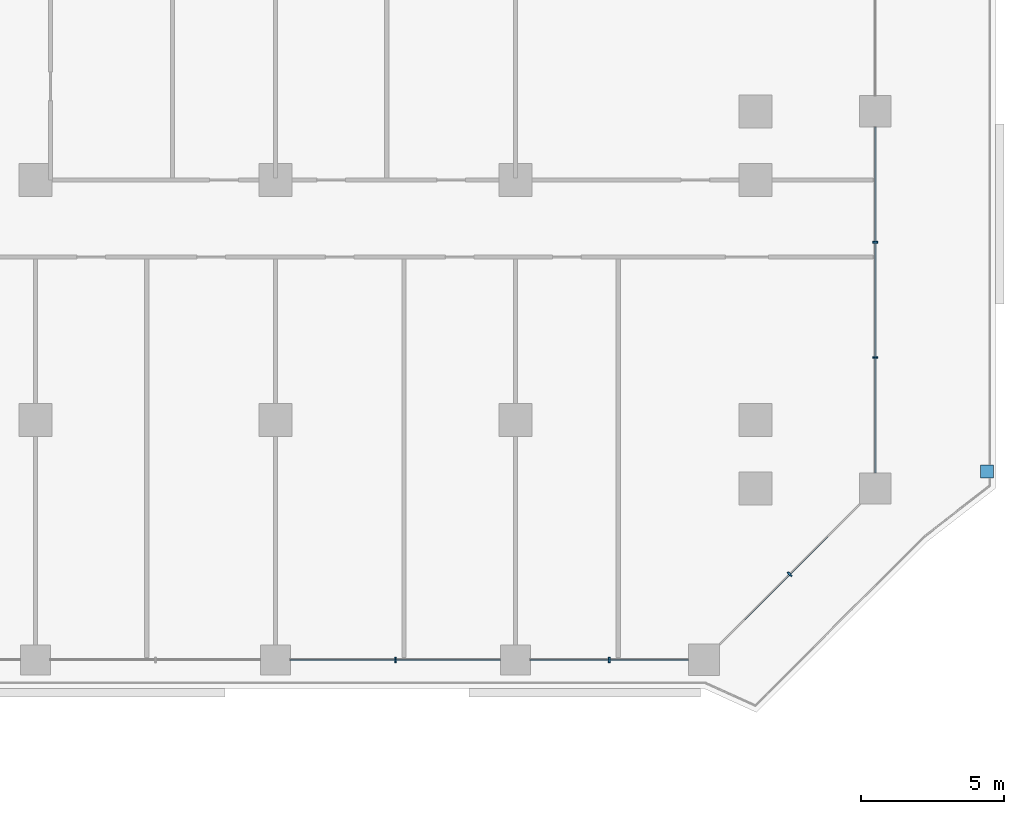
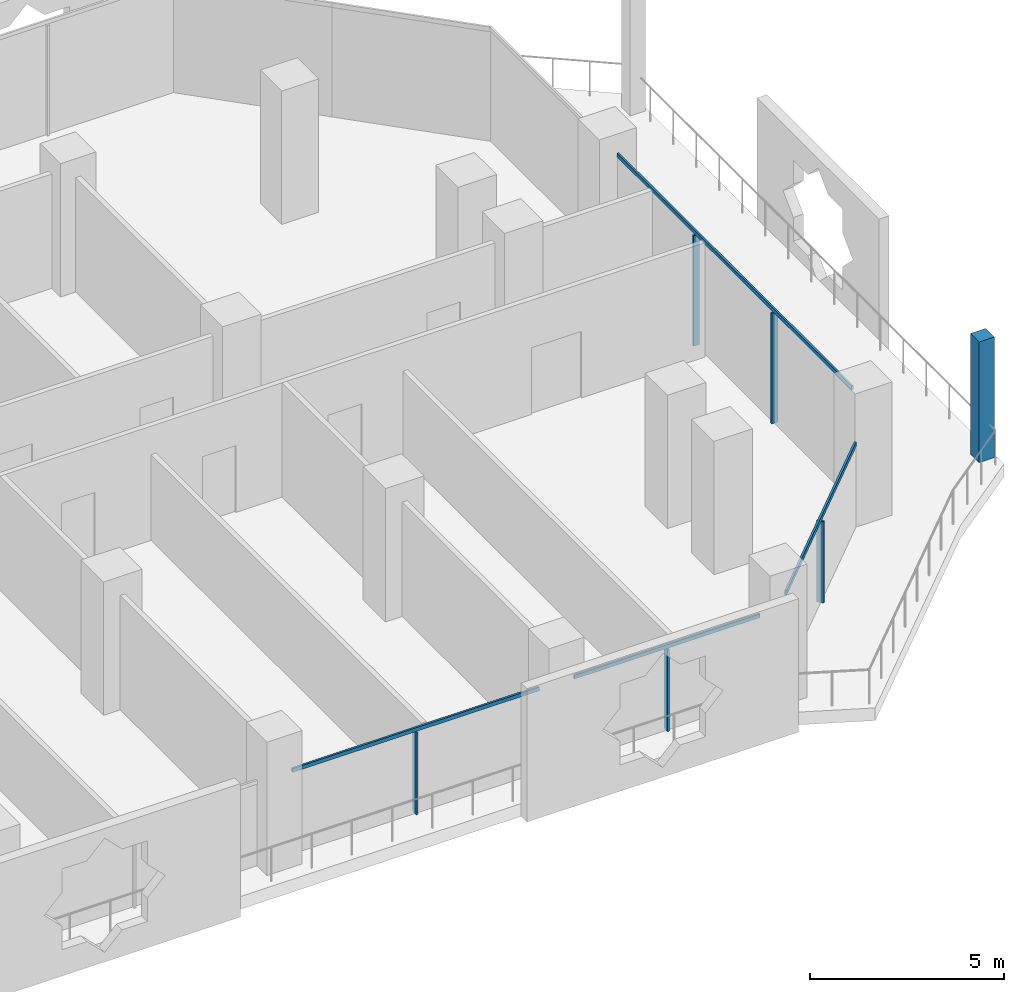
# One storey, part 7 of 25: 10 members, 4 elements without a shape of their own.
"""IFC4 building model written with IfcOpenShell, lengths in metres."""

from ifc_helpers import new_model, si_unit, direction, frame, origin, origin_2d, place, context, subcontext, project, spatial, rectangle, extrude, material, layer, layer_set, material_profile, profile_set, type_object, element, aggregate, save


model = new_model("IFC4")

# Units and contexts
model_context = context("Model", 3, precision=1e-05, world=origin(), true_north=direction((0.0, 1.0)))
body_context = subcontext(model_context, "Body", "Model", "MODEL_VIEW")
ifc_project = project(units=[si_unit("LENGTHUNIT", "METRE"), si_unit("AREAUNIT", "SQUARE_METRE"), si_unit("VOLUMEUNIT", "CUBIC_METRE"), si_unit("PLANEANGLEUNIT", "RADIAN"), si_unit("MASSUNIT", "GRAM", prefix="KILO")], contexts=[model_context])

# Site, building, storey
site_placement = place(None, origin())
site = spatial("IfcSite", under=ifc_project, at=site_placement, CompositionType="ELEMENT")
building_placement = place(site_placement, origin())
building = spatial("IfcBuilding", under=site, at=building_placement, Name="Kawkab Arch Medical Tower", CompositionType="ELEMENT")
storey_placement = place(building_placement, frame((0.0, 0.0, 98.800048828125)))
storey = spatial("IfcBuildingStorey", under=building, at=storey_placement, Name="L22", CompositionType="ELEMENT", Elevation=98.800048828125)

# Curtain wall, members
ifc_material_1 = material(Name="Bronze anodised aluminium curtain wall frame", Category="aluminium")
ifc_layer_1 = layer(ifc_material_1, 0.159912109375)
ifc_layer_set_1 = layer_set([ifc_layer_1], Name="Bronze anodised aluminium curtain wall frame")
curtain_wall_type_1 = type_object("IfcCurtainWallType", Name="CW1 ward curtain wall", PredefinedType="NOTDEFINED", material=ifc_layer_set_1)
placement = place(storey_placement, origin())
curtain_wall_1 = element("IfcCurtainWall", 1, at=placement, inside=storey, type_object=curtain_wall_type_1, Name="CW1 Ward curtain wall R07", PredefinedType="NOTDEFINED")
ifc_material_2 = material(Name="Bronze anodised aluminium curtain wall frame", Category="aluminium")
ifc_material_profile_1 = material_profile(ifc_material_2, rectangle(XDim=0.179931640625, YDim=0.06005859375, at=origin_2d()), Name="AL 60x180")
ifc_profile_set_1 = profile_set([ifc_material_profile_1], Name="Bronze anodised aluminium curtain wall frame")
member_type_1 = type_object("IfcMemberType", Name="CW1 mullion 60 x 180", PredefinedType="MULLION", material=ifc_profile_set_1)
member_1_placement = place(storey_placement, frame((63.0, -25.199951171875, 0.0), z_axis=(0.0, 0.0, 1.0), x_axis=(0.0, 1.0, 0.0)))
member_1 = element("IfcMember", 2, at=member_1_placement, type_object=member_type_1, Name="CW1 mullion 4.1", PredefinedType="MULLION", context=body_context, shape_type="SweptSolid", body=[
    extrude(rectangle(XDim=0.179931640625, YDim=0.06005859375, at=origin_2d()), origin(), (0.0, 0.0, 1.0), 2.579833984375),
])
member_2_placement = place(storey_placement, frame((70.487548828125, -25.199951171875, 0.0), z_axis=(0.0, 0.0, 1.0), x_axis=(0.0, 1.0, 0.0)))
member_2 = element("IfcMember", 3, at=member_2_placement, type_object=member_type_1, Name="CW1 mullion 5.1", PredefinedType="MULLION", context=body_context, shape_type="SweptSolid", body=[
    extrude(rectangle(XDim=0.179931640625, YDim=0.06005859375, at=origin_2d()), origin(), (0.0, 0.0, 1.0), 2.579833984375),
])

curtain_wall_2 = element("IfcCurtainWall", 4, at=placement, inside=storey, type_object=curtain_wall_type_1, Name="CW1 Ward curtain wall R09", PredefinedType="NOTDEFINED")
member_3_placement = place(storey_placement, frame((79.800048828125, -14.61669921875, 0.0), z_axis=(0.0, 0.0, 1.0), x_axis=(-1.0, 0.0, 0.0)))
member_3 = element("IfcMember", 5, at=member_3_placement, type_object=member_type_1, Name="CW1 mullion 1.1", PredefinedType="MULLION", context=body_context, shape_type="SweptSolid", body=[
    extrude(rectangle(XDim=0.179931640625, YDim=0.06005859375, at=origin_2d()), origin(), (0.0, 0.0, 1.0), 3.47998046875),
])
member_4_placement = place(storey_placement, frame((79.800048828125, -10.583251953125, 0.0), z_axis=(0.0, 0.0, 1.0), x_axis=(-1.0, 0.0, 0.0)))
member_4 = element("IfcMember", 6, at=member_4_placement, type_object=member_type_1, Name="CW1 mullion 1.2", PredefinedType="MULLION", context=body_context, shape_type="SweptSolid", body=[
    extrude(rectangle(XDim=0.179931640625, YDim=0.06005859375, at=origin_2d()), origin(), (0.0, 0.0, 1.0), 3.47998046875),
])

# Member
ifc_material_3 = material(Name="Bronze anodised aluminium curtain wall frame", Category="aluminium")
ifc_material_profile_2 = material_profile(ifc_material_3, rectangle(XDim=0.06005859375, YDim=0.1201171875, at=origin_2d()), Name="AL 60x120")
ifc_profile_set_2 = profile_set([ifc_material_profile_2], Name="Bronze anodised aluminium curtain wall frame")
member_type_2 = type_object("IfcMemberType", Name="CW1 transom 120 x 60", PredefinedType="USERDEFINED", material=ifc_profile_set_2)
member_5_placement = place(storey_placement, frame((59.324951171875, -25.199951171875, 2.639892578125), z_axis=(1.0, 0.0, 0.0), x_axis=(0.0, 1.0, 0.0)))
member_5 = element("IfcMember", 7, at=member_5_placement, type_object=member_type_2, Name="CW1 transom 4", ObjectType="TRANSOM", PredefinedType="USERDEFINED", context=body_context, shape_type="SweptSolid", body=[
    extrude(rectangle(XDim=0.06005859375, YDim=0.1201171875, at=origin_2d()), origin(), (0.0, 0.0, 1.0), 7.35009765625),
])

member_6_placement = place(storey_placement, frame((67.72509765625, -25.199951171875, 2.639892578125), z_axis=(1.0, 0.0, 0.0), x_axis=(0.0, 1.0, 0.0)))
member_6 = element("IfcMember", 8, at=member_6_placement, type_object=member_type_2, Name="CW1 transom 5", ObjectType="TRANSOM", PredefinedType="USERDEFINED", context=body_context, shape_type="SweptSolid", body=[
    extrude(rectangle(XDim=0.06005859375, YDim=0.1201171875, at=origin_2d()), origin(), (0.0, 0.0, 1.0), 5.52490234375),
])

aggregate(curtain_wall_1, [member_5, member_1, member_6, member_2])

member_7_placement = place(storey_placement, frame((79.800048828125, -18.64990234375, 3.5400390625), z_axis=(0.0, 1.0, 0.0), x_axis=(-1.0, 0.0, 0.0)))
member_7 = element("IfcMember", 9, at=member_7_placement, type_object=member_type_2, Name="CW1 transom 1", ObjectType="TRANSOM", PredefinedType="USERDEFINED", context=body_context, shape_type="SweptSolid", body=[
    extrude(rectangle(XDim=0.06005859375, YDim=0.1201171875, at=origin_2d()), origin(), (0.0, 0.0, 1.0), 12.099853515625),
])

aggregate(curtain_wall_2, [member_7, member_3, member_4])

# Curtain wall, members
ifc_material_4 = material(Name="Bronze anodised aluminium curtain wall frame", Category="aluminium")
ifc_layer_2 = layer(ifc_material_4, 0.159912109375)
ifc_layer_set_2 = layer_set([ifc_layer_2], Name="Bronze anodised aluminium curtain wall frame")
curtain_wall_type_2 = type_object("IfcCurtainWallType", Name="CW2 chamfer curtain wall", PredefinedType="NOTDEFINED", material=ifc_layer_set_2)
curtain_wall_3 = element("IfcCurtainWall", 10, at=placement, inside=storey, type_object=curtain_wall_type_2, Name="CW2 Chamfer curtain wall R08", PredefinedType="NOTDEFINED")
ifc_material_5 = material(Name="Bronze anodised aluminium curtain wall frame", Category="aluminium")
ifc_material_profile_3 = material_profile(ifc_material_5, rectangle(XDim=0.199951171875, YDim=0.06005859375, at=origin_2d()), Name="AL 60x200")
ifc_profile_set_3 = profile_set([ifc_material_profile_3], Name="Bronze anodised aluminium curtain wall frame")
member_type_3 = type_object("IfcMemberType", Name="CW2 mullion 60 x 200", PredefinedType="MULLION", material=ifc_profile_set_3)
member_8_placement = place(storey_placement, frame((76.800048828125, -22.199951171875, 0.0), z_axis=(0.0, 0.0, 1.0), x_axis=(-0.707106781187, 0.707106781187, 0.0)))
member_8 = element("IfcMember", 11, at=member_8_placement, type_object=member_type_3, Name="CW2 mullion 1.1", PredefinedType="MULLION", context=body_context, shape_type="SweptSolid", body=[
    extrude(rectangle(XDim=0.199951171875, YDim=0.06005859375, at=origin_2d()), origin(), (0.0, 0.0, 1.0), 2.56005859375),
])
ifc_material_6 = material(Name="Bronze anodised aluminium curtain wall frame", Category="aluminium")
ifc_material_profile_4 = material_profile(ifc_material_6, rectangle(XDim=0.06005859375, YDim=0.139892578125, at=origin_2d()), Name="AL 60x140")
ifc_profile_set_4 = profile_set([ifc_material_profile_4], Name="Bronze anodised aluminium curtain wall frame")
member_type_4 = type_object("IfcMemberType", Name="CW2 transom 140 x 60", PredefinedType="USERDEFINED", material=ifc_profile_set_4)
member_9_placement = place(storey_placement, frame((74.35009765625, -24.64990234375, 2.6298828125), z_axis=(0.707106781187, 0.707106781187, 0.0), x_axis=(-0.707106781187, 0.707106781187, 0.0)))
member_9 = element("IfcMember", 12, at=member_9_placement, type_object=member_type_4, Name="CW2 transom 1", ObjectType="TRANSOM", PredefinedType="USERDEFINED", context=body_context, shape_type="SweptSolid", body=[
    extrude(rectangle(XDim=0.06005859375, YDim=0.139892578125, at=origin_2d()), origin(), (0.0, 0.0, 1.0), 6.929443359375),
])
aggregate(curtain_wall_3, [member_9, member_8])

# Curtain wall, member
ifc_material_7 = material(Name="Bronze anodised aluminium climber frame, planted", Category="aluminium")
ifc_layer_3 = layer(ifc_material_7, 0.449951171875)
ifc_layer_set_3 = layer_set([ifc_layer_3], Name="Bronze anodised aluminium climber frame, planted")
curtain_wall_type_3 = type_object("IfcCurtainWallType", Name="Planted climber frame", PredefinedType="NOTDEFINED", material=ifc_layer_set_3)
curtain_wall_4 = element("IfcCurtainWall", 13, at=placement, inside=storey, type_object=curtain_wall_type_3, Name="Planted climber frame L22", PredefinedType="NOTDEFINED")
ifc_material_8 = material(Name="Bronze anodised aluminium climber frame, planted", Category="aluminium")
ifc_material_profile_5 = material_profile(ifc_material_8, rectangle(XDim=0.449951171875, YDim=0.449951171875, at=origin_2d()), Name="Post 450x450")
ifc_profile_set_5 = profile_set([ifc_material_profile_5], Name="Bronze anodised aluminium climber frame, planted")
member_type_5 = type_object("IfcMemberType", Name="Planted climber post 450 x 450", PredefinedType="MULLION", material=ifc_profile_set_5)
member_10_placement = place(storey_placement, frame((83.699951171875, -18.60302734375, 0.0), z_axis=(0.0, 0.0, 1.0), x_axis=(1.0, 0.0, 0.0)))
member_10 = element("IfcMember", 14, at=member_10_placement, type_object=member_type_5, Name="Planted climber post L22.LOG-01-01.4", PredefinedType="MULLION", context=body_context, shape_type="SweptSolid", body=[
    extrude(rectangle(XDim=0.449951171875, YDim=0.449951171875, at=origin_2d()), origin(), (0.0, 0.0, 1.0), 3.800048828125),
])
aggregate(curtain_wall_4, [member_10])

save(model, "model.ifc")
